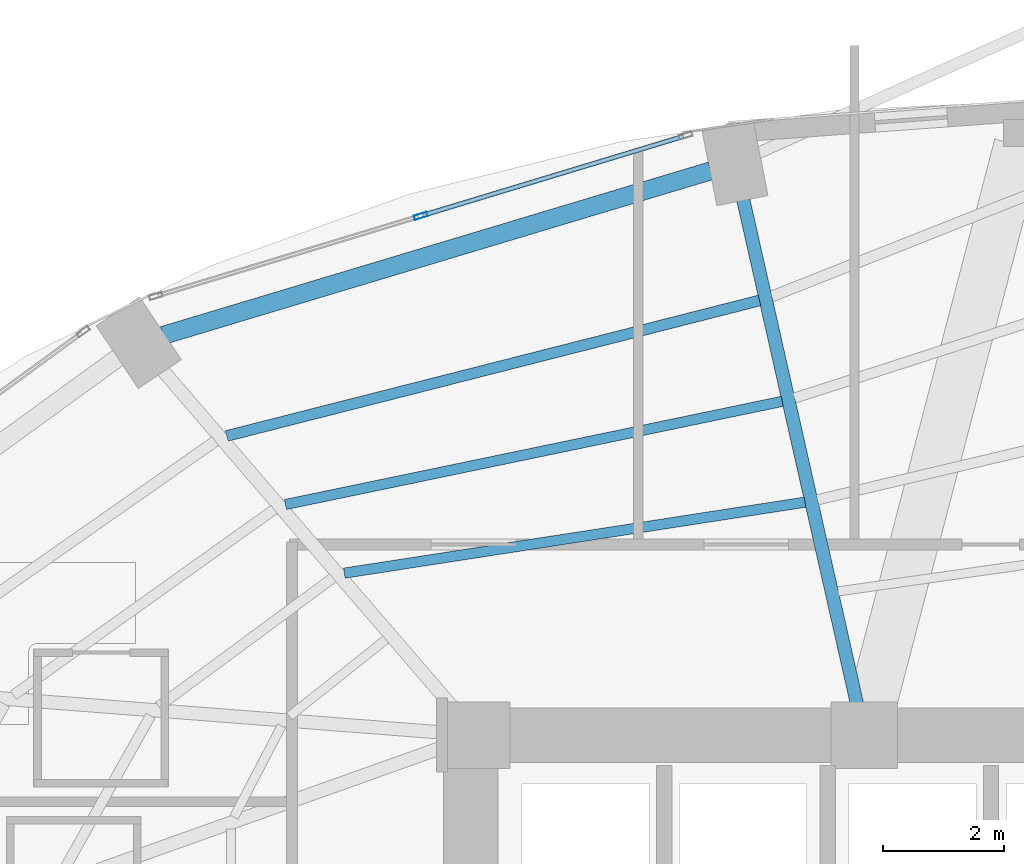
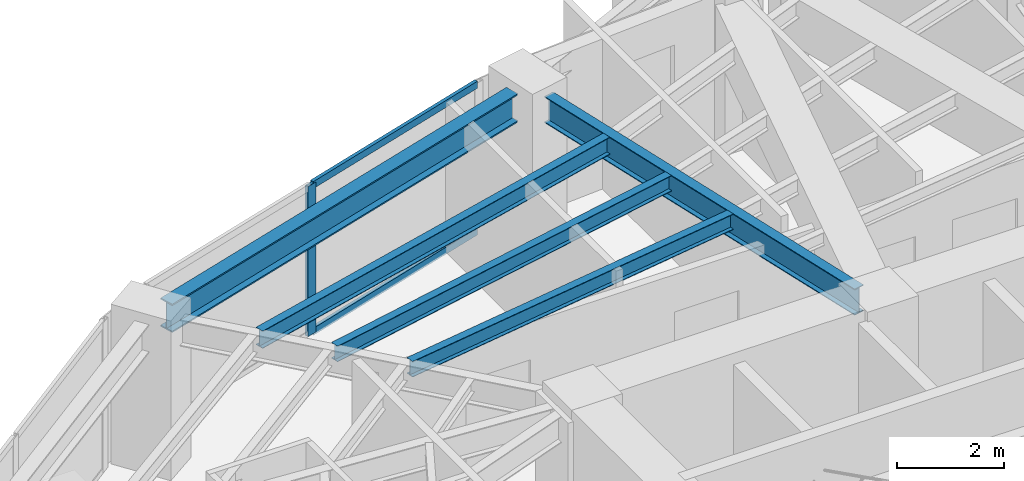
# One storey, part 15 of 25: 5 beams, 3 members, 1 element without a shape of its own.
"""IFC4 building model written with IfcOpenShell, lengths in metres."""

from ifc_helpers import new_model, si_unit, direction, frame, origin, origin_2d, place, context, subcontext, project, spatial, hollow_rectangle, i_section, extrude, material, layer, layer_set, material_profile, profile_set, type_object, element, aggregate, save


model = new_model("IFC4")

# Units and contexts
model_context = context("Model", 3, precision=1e-05, world=origin(), true_north=direction((0.0, 1.0)))
body_context = subcontext(model_context, "Body", "Model", "MODEL_VIEW")
ifc_project = project(units=[si_unit("LENGTHUNIT", "METRE"), si_unit("AREAUNIT", "SQUARE_METRE"), si_unit("VOLUMEUNIT", "CUBIC_METRE"), si_unit("PLANEANGLEUNIT", "RADIAN"), si_unit("MASSUNIT", "GRAM", prefix="KILO")], contexts=[model_context])

# Site, building, storey
site_placement = place(None, origin())
site = spatial("IfcSite", under=ifc_project, at=site_placement, CompositionType="ELEMENT")
building_placement = place(site_placement, origin())
building = spatial("IfcBuilding", under=site, at=building_placement, Name="Lazwardi Medical Tower", CompositionType="ELEMENT")
storey_placement = place(building_placement, frame((0.0, 0.0, 47.087890625)))
storey = spatial("IfcBuildingStorey", under=building, at=storey_placement, Name="L11", CompositionType="ELEMENT", Elevation=47.087890625)

# Beams
ifc_material_1 = material(Name="Steel S355", Category="steel")
ifc_material_profile_1 = material_profile(ifc_material_1, i_section(OverallWidth=0.300048828125, OverallDepth=0.64990234375, WebThickness=0.01611328125, FlangeThickness=0.031005859375, at=origin_2d()), Name="HEB 650")
ifc_profile_set_1 = profile_set([ifc_material_profile_1], Name="Steel S355")
beam_type_1 = type_object("IfcBeamType", Name="BM-RB-Z1", PredefinedType="BEAM", material=ifc_profile_set_1)
beam_1_placement = place(storey_placement, frame((30.26708984375, 44.923095703125, 3.10302734375), z_axis=(-0.957695289269, -0.287784177662, 0.0), x_axis=(0.287784177662, -0.957695289269, 0.0)))
element("IfcBeam", 1, at=beam_1_placement, inside=storey, type_object=beam_type_1, Name="Ring beam RB-02 B09 L11", PredefinedType="BEAM", context=body_context, shape_type="SweptSolid", body=[
    extrude(i_section(OverallWidth=0.300048828125, OverallDepth=0.64990234375, WebThickness=0.01611328125, FlangeThickness=0.031005859375, at=origin_2d()), origin(), (0.0, 0.0, 1.0), 9.445556640625),
])
ifc_material_profile_2 = material_profile(ifc_material_1, i_section(OverallWidth=0.219970703125, OverallDepth=0.60009765625, WebThickness=0.011962890625, FlangeThickness=0.01904296875, at=origin_2d()), Name="IPE 600")
ifc_profile_set_2 = profile_set([ifc_material_profile_2], Name="Steel S355")
beam_type_2 = type_object("IfcBeamType", Name="BM-RG-W1", PredefinedType="BEAM", material=ifc_profile_set_2)
beam_2_placement = place(storey_placement, frame((30.796875, 44.478271484375, 3.128173828125), z_axis=(0.22010079219, -0.975477135189, 0.0), x_axis=(0.975477135189, 0.22010079219, 0.0)))
element("IfcBeam", 2, at=beam_2_placement, inside=storey, type_object=beam_type_2, Name="Radial girder RG-02 R09 L11", PredefinedType="BEAM", context=body_context, shape_type="SweptSolid", body=[
    extrude(i_section(OverallWidth=0.219970703125, OverallDepth=0.60009765625, WebThickness=0.011962890625, FlangeThickness=0.01904296875, at=origin_2d()), origin(), (0.0, 0.0, 1.0), 8.56640625),
])
ifc_material_profile_3 = material_profile(ifc_material_1, i_section(OverallWidth=0.179931640625, OverallDepth=0.39990234375, WebThickness=0.008544921875, FlangeThickness=0.013427734375, at=origin_2d()), Name="IPE 400")
ifc_profile_set_3 = profile_set([ifc_material_profile_3], Name="Steel S355")
beam_type_3 = type_object("IfcBeamType", Name="BM-SJ-01", PredefinedType="JOIST", material=ifc_profile_set_3)
beam_3_placement = place(storey_placement, frame((31.072265625, 42.781005859375, 3.22802734375), z_axis=(-0.969151012048, -0.246467677081, 0.0), x_axis=(0.246467677081, -0.969151012048, 0.0)))
element("IfcBeam", 3, at=beam_3_placement, inside=storey, type_object=beam_type_3, Name="Secondary joist SJ-01 R1 B09 L11", PredefinedType="JOIST", context=body_context, shape_type="SweptSolid", body=[
    extrude(i_section(OverallWidth=0.179931640625, OverallDepth=0.39990234375, WebThickness=0.008544921875, FlangeThickness=0.013427734375, at=origin_2d()), origin(), (0.0, 0.0, 1.0), 9.08251953125),
])
ifc_material_profile_4 = material_profile(ifc_material_1, i_section(OverallWidth=0.169921875, OverallDepth=0.360107421875, WebThickness=0.008056640625, FlangeThickness=0.0126953125, at=origin_2d()), Name="IPE 360")
ifc_profile_set_4 = profile_set([ifc_material_profile_4], Name="Steel S355")
beam_type_4 = type_object("IfcBeamType", Name="BM-SJ-02", PredefinedType="JOIST", material=ifc_profile_set_4)
beam_4_placement = place(storey_placement, frame((31.4482421875, 41.114501953125, 3.248046875), z_axis=(-0.979107693723, -0.203342381445, 0.0), x_axis=(0.203342381445, -0.979107693723, 0.0)))
element("IfcBeam", 4, at=beam_4_placement, inside=storey, type_object=beam_type_4, Name="Secondary joist SJ-02 R2 B09 L11", PredefinedType="JOIST", context=body_context, shape_type="SweptSolid", body=[
    extrude(i_section(OverallWidth=0.169921875, OverallDepth=0.360107421875, WebThickness=0.008056640625, FlangeThickness=0.0126953125, at=origin_2d()), origin(), (0.0, 0.0, 1.0), 8.381591796875),
])
beam_5_placement = place(storey_placement, frame((31.824462890625, 39.448486328125, 3.248046875), z_axis=(-0.988362899594, -0.152114360618, 0.0), x_axis=(0.152114360618, -0.988362899594, 0.0)))
element("IfcBeam", 5, at=beam_5_placement, inside=storey, type_object=beam_type_4, Name="Secondary joist SJ-02 R3 B09 L11", PredefinedType="JOIST", context=body_context, shape_type="SweptSolid", body=[
    extrude(i_section(OverallWidth=0.169921875, OverallDepth=0.360107421875, WebThickness=0.008056640625, FlangeThickness=0.0126953125, at=origin_2d()), origin(), (0.0, 0.0, 1.0), 7.70068359375),
])

# Curtain wall, members
ifc_material_2 = material(Name="Anodised bronze aluminium and solar control glazing", Category="aluminium")
ifc_layer = layer(ifc_material_2, 0.199951171875)
ifc_layer_set = layer_set([ifc_layer], Name="Anodised bronze aluminium and solar control glazing")
curtain_wall_type = type_object("IfcCurtainWallType", Name="CW-SYS-02", PredefinedType="NOTDEFINED", material=ifc_layer_set)
curtain_wall_placement = place(storey_placement, origin())
curtain_wall = element("IfcCurtainWall", 6, at=curtain_wall_placement, inside=storey, type_object=curtain_wall_type, Name="L11 Unitised bronze curtain wall CW-02", PredefinedType="NOTDEFINED")
ifc_material_3 = material(Name="Anodised bronze aluminium", Category="aluminium")
ifc_material_profile_5 = material_profile(ifc_material_3, hollow_rectangle(XDim=0.074951171875, YDim=0.219970703125, WallThickness=0.00390625, at=origin_2d()), Name="ALU-MULLION 220x75x4")
ifc_profile_set_5 = profile_set([ifc_material_profile_5], Name="Anodised bronze aluminium")
member_type_1 = type_object("IfcMemberType", Name="CW-MUL-01", PredefinedType="MULLION", material=ifc_profile_set_5)
member_1_placement = place(storey_placement, frame((25.476806640625, 44.178466796875, 0.0), z_axis=(0.0, 0.0, 1.0), x_axis=(0.2898956909, -0.957058247129, 0.0)))
member_1 = element("IfcMember", 7, at=member_1_placement, type_object=member_type_1, Name="CW-02 mullion 2", PredefinedType="MULLION", context=body_context, shape_type="SweptSolid", body=[
    extrude(hollow_rectangle(XDim=0.074951171875, YDim=0.219970703125, WallThickness=0.00390625, at=origin_2d()), origin(), (0.0, 0.0, 1.0), 3.42822265625),
])
ifc_material_profile_6 = material_profile(ifc_material_3, hollow_rectangle(XDim=0.074951171875, YDim=0.159912109375, WallThickness=0.00390625, at=origin_2d()), Name="ALU-TRANSOM 160x75x4")
ifc_profile_set_6 = profile_set([ifc_material_profile_6], Name="Anodised bronze aluminium")
member_type_2 = type_object("IfcMemberType", Name="CW-TRN-01", PredefinedType="USERDEFINED", material=ifc_profile_set_6)
member_2_placement = place(storey_placement, frame((29.816162109375, 45.492919921875, 0.03759765625), z_axis=(-0.957047233423, -0.28993204893, 0.0), x_axis=(0.28993204893, -0.957047233423, 0.0)))
member_2 = element("IfcMember", 8, at=member_2_placement, type_object=member_type_2, Name="CW-02 transom 1.1", ObjectType="TRANSOM", PredefinedType="USERDEFINED", context=body_context, shape_type="SweptSolid", body=[
    extrude(hollow_rectangle(XDim=0.074951171875, YDim=0.159912109375, WallThickness=0.00390625, at=origin_2d()), origin(), (0.0, 0.0, 1.0), 4.49658203125),
])
member_3_placement = place(storey_placement, frame((29.816162109375, 45.492919921875, 3.390625), z_axis=(-0.957047233423, -0.28993204893, 0.0), x_axis=(0.28993204893, -0.957047233423, 0.0)))
member_3 = element("IfcMember", 9, at=member_3_placement, type_object=member_type_2, Name="CW-02 transom 1.2", ObjectType="TRANSOM", PredefinedType="USERDEFINED", context=body_context, shape_type="SweptSolid", body=[
    extrude(hollow_rectangle(XDim=0.074951171875, YDim=0.159912109375, WallThickness=0.00390625, at=origin_2d()), origin(), (0.0, 0.0, 1.0), 4.49658203125),
])
aggregate(curtain_wall, [member_1, member_2, member_3])

save(model, "model.ifc")
